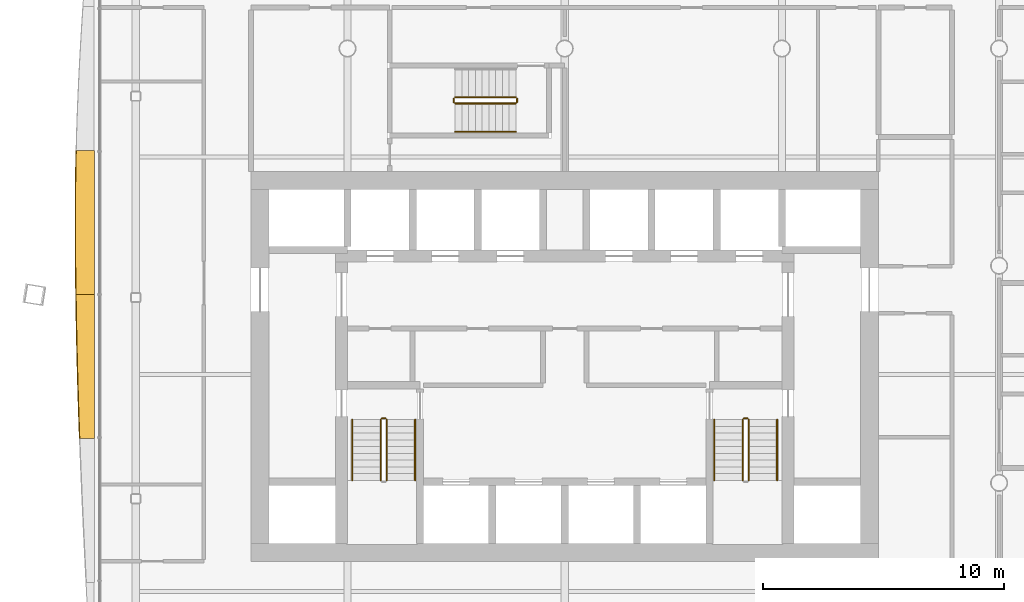
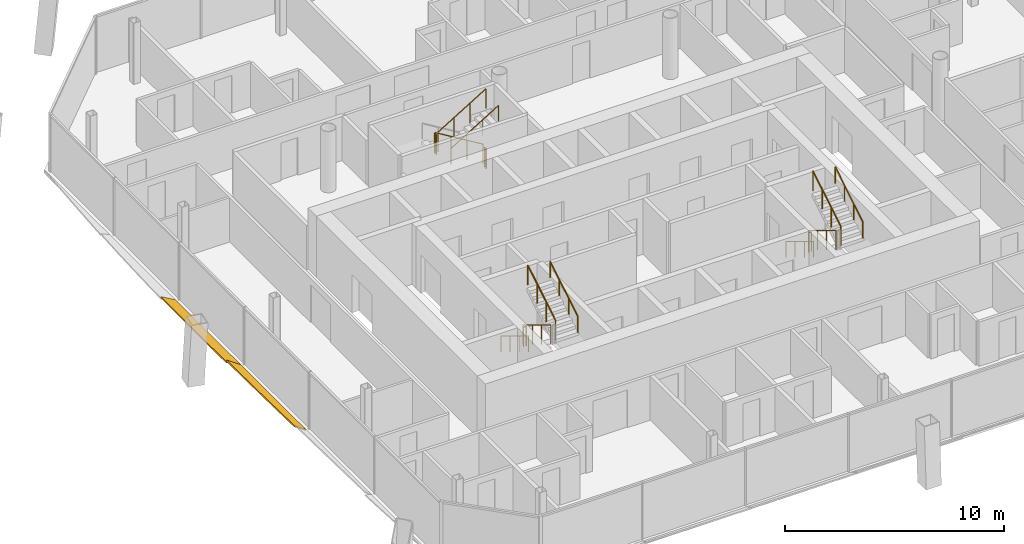
# One storey, part 20 of 21: 15 railings, 2 shading devices.
"""IFC4 building model written with IfcOpenShell, lengths in metres."""

import ifcopenshell
import ifcopenshell.guid

model = None  # the IFC model being written
_history = None  # IfcOwnerHistory: only IFC2X3 demands one
_inside = {}  # id of a spatial element -> (the spatial element, [elements in it])
_under = {}  # id of a project, library or spatial element -> (it, [spatial elements below it])
_declared = {}  # id of a project -> (the project, [libraries it declares])
_typed = {}  # id of a type object -> (the type object, [elements of that type])
_made_of = {}  # id of a material, layer set ... -> (it, [elements and type objects made of it])


def new_model(schema):
    """Start an empty IFC model of exactly this schema.

    Asked for "IFC4X3", IfcOpenShell would pick the latest addendum, in which some entities
    have other attributes; the version numbers below select the first issue.
    IFC2X3 requires an IfcOwnerHistory on every rooted entity: one is made here for all.
    """
    global model, _history
    if schema == "IFC4X3":
        model = ifcopenshell.file(schema_version=(4, 3, 0, 0))
    else:
        model = ifcopenshell.file(schema=schema)
    _inside.clear()
    _under.clear()
    _declared.clear()
    _typed.clear()
    _made_of.clear()
    _history = None
    if model.schema == "IFC2X3":
        org = make("IfcOrganization", Name="unknown")
        user = make(
            "IfcPersonAndOrganization",
            ThePerson=make("IfcPerson", FamilyName="unknown"),
            TheOrganization=org,
        )
        app = make(
            "IfcApplication",
            ApplicationDeveloper=org,
            Version="unknown",
            ApplicationFullName="unknown",
            ApplicationIdentifier="unknown",
        )
        _history = make(
            "IfcOwnerHistory",
            OwningUser=user,
            OwningApplication=app,
            ChangeAction="ADDED",
            CreationDate=0,
        )
    return model


def make(cls, **values):
    """One entity of the class cls with the attributes given. An attribute that is None is left unset."""
    return model.create_entity(
        cls, **{name: value for name, value in values.items() if value is not None}
    )


def rooted(cls, **values):
    """An entity with a GlobalId (a new one), such as an element, a storey or a relation."""
    return make(cls, GlobalId=ifcopenshell.guid.new(), OwnerHistory=_history, **values)


def si_unit(unit_type, name, prefix=None):
    """IfcSIUnit, for example si_unit("LENGTHUNIT", "METRE", prefix="MILLI")."""
    return make("IfcSIUnit", UnitType=unit_type, Prefix=prefix, Name=name)


def assignment(units):
    """IfcUnitAssignment: the units of a project."""
    return None if units is None else make("IfcUnitAssignment", Units=units)


def point(xyz):
    """IfcCartesianPoint."""
    return None if xyz is None else make("IfcCartesianPoint", Coordinates=xyz)


def direction(xyz):
    """IfcDirection."""
    return None if xyz is None else make("IfcDirection", DirectionRatios=xyz)


def frame(location, z_axis=None, x_axis=None):
    """IfcAxis2Placement3D, a coordinate frame: its origin and axes. An axis left out is left unset."""
    return make(
        "IfcAxis2Placement3D",
        Location=point(location),
        Axis=direction(z_axis),
        RefDirection=direction(x_axis),
    )


def frame_2d(location, x_axis=None):
    """IfcAxis2Placement2D, a coordinate frame in the plane: its origin and x axis."""
    return make(
        "IfcAxis2Placement2D", Location=point(location), RefDirection=direction(x_axis)
    )


def origin():
    """The frame at (0, 0, 0) with its axes left unset."""
    return frame((0.0, 0.0, 0.0))


def origin_2d():
    """The frame at (0, 0) in the plane with its x axis left unset."""
    return frame_2d((0.0, 0.0))


def place(relative_to, where):
    """IfcLocalPlacement: puts the frame where relative to a parent placement (None: the world)."""
    return make(
        "IfcLocalPlacement", PlacementRelTo=relative_to, RelativePlacement=where
    )


def context(
    kind, dimensions, precision=None, world=None, true_north=None, identifier=None
):
    """IfcGeometricRepresentationContext, for example the 3D "Model" context."""
    return make(
        "IfcGeometricRepresentationContext",
        ContextIdentifier=identifier,
        ContextType=kind,
        CoordinateSpaceDimension=dimensions,
        Precision=precision,
        WorldCoordinateSystem=world,
        TrueNorth=true_north,
    )


def subcontext(parent, identifier, kind, view, scale=None):
    """IfcGeometricRepresentationSubContext, for example "Body" below "Model"."""
    return make(
        "IfcGeometricRepresentationSubContext",
        ContextIdentifier=identifier,
        ContextType=kind,
        ParentContext=parent,
        TargetScale=scale,
        TargetView=view,
    )


def project(units=None, contexts=None):
    """IfcProject with its units and contexts."""
    return rooted(
        "IfcProject",
        Name="project",
        RepresentationContexts=contexts,
        UnitsInContext=assignment(units),
    )


def spatial(cls, under=None, at=None, **own):
    """A site, building, storey or space (cls), placed at a placement, below another one or the project."""
    s = rooted(cls, ObjectPlacement=at, **own)
    if under is not None:
        _under.setdefault(under.id(), (under, []))[1].append(s)
    return s


def polyline(points):
    """IfcPolyline through the points."""
    return make("IfcPolyline", Points=[point(p) for p in points])


def profile(cls, at=None, kind="AREA", **sizes):
    """A parametric profile (cls). Its sizes go by their IFC names, for example OverallWidth=200.0."""
    return make(cls, ProfileType=kind, Position=at, **sizes)


def circle(**sizes):
    """IfcCircleProfileDef."""
    return profile("IfcCircleProfileDef", **sizes)


def outline(outer, holes=None, kind="AREA"):
    """IfcArbitraryClosedProfileDef: a profile drawn as a closed curve; with holes, ...WithVoids."""
    if holes is None:
        return make("IfcArbitraryClosedProfileDef", ProfileType=kind, OuterCurve=outer)
    return make(
        "IfcArbitraryProfileDefWithVoids",
        ProfileType=kind,
        OuterCurve=outer,
        InnerCurves=holes,
    )


def extrude(swept, where, along, depth):
    """IfcExtrudedAreaSolid: the profile swept, set in the frame where, extruded along a direction by depth."""
    return make(
        "IfcExtrudedAreaSolid",
        SweptArea=swept,
        Position=where,
        ExtrudedDirection=direction(along),
        Depth=depth,
    )


def shape(context_of_items, identifier, shape_type, items):
    """IfcShapeRepresentation: the items that make up one representation, for example the "Body"."""
    return make(
        "IfcShapeRepresentation",
        ContextOfItems=context_of_items,
        RepresentationIdentifier=identifier,
        RepresentationType=shape_type,
        Items=items,
    )


def material(Name=None, Category=None):
    """IfcMaterial."""
    return make("IfcMaterial", Name=Name, Category=Category)


def layer(
    of_material, thickness, ventilated=None, Name=None, Category=None, Priority=None
):
    """IfcMaterialLayer: one layer of a wall or slab, of a material (None: an air gap)."""
    return make(
        "IfcMaterialLayer",
        Material=of_material,
        LayerThickness=thickness,
        IsVentilated=ventilated,
        Name=Name,
        Category=Category,
        Priority=Priority,
    )


def layer_set(layers, Name=None):
    """IfcMaterialLayerSet."""
    return make("IfcMaterialLayerSet", MaterialLayers=layers, LayerSetName=Name)


def made_of(thing, what):
    """Note that an element or type object is made of a material, layer set ...; save() writes the relation."""
    if what is not None:
        _made_of.setdefault(what.id(), (what, []))[1].append(thing)
    return thing


def type_object(cls, material=None, **own):
    """A type object (cls), such as IfcWallType, which elements share."""
    return made_of(rooted(cls, **own), material)


def element(
    cls,
    number,
    at=None,
    inside=None,
    cuts=None,
    type_object=None,
    material=None,
    context=None,
    identifier="Body",
    shape_type=None,
    held_by="IfcProductDefinitionShape",
    body=None,
    shapes=None,
    **own,
):
    """One element of the class cls, such as IfcWall. Its Tag is "e" and its number.

    at: its placement. inside: the storey or other place that contains it. cuts: it is an
    opening in that element (IfcRelVoidsElement). A single representation is given by context,
    identifier, shape_type and body (its items); several are given by shapes. held_by: the class
    of the entity that holds the representations. save() writes the other relations.
    """
    e = rooted(cls, Tag="e%d" % number, ObjectPlacement=at, **own)
    if body is not None:
        shapes = [shape(context, identifier, shape_type, body)]
    if shapes is not None:
        e.Representation = make(held_by, Representations=shapes)
    if inside is not None:
        _inside.setdefault(inside.id(), (inside, []))[1].append(e)
    if cuts is not None:
        rooted(
            "IfcRelVoidsElement", RelatingBuildingElement=cuts, RelatedOpeningElement=e
        )
    if type_object is not None:
        _typed.setdefault(type_object.id(), (type_object, []))[1].append(e)
    return made_of(e, material)


def aggregate(whole, parts):
    """IfcRelAggregates: a whole, such as a stair, and the parts it consists of."""
    return rooted("IfcRelAggregates", RelatingObject=whole, RelatedObjects=parts)


def save(model, path):
    """Write the relations noted so far, then the file.

    IfcRelAggregates (storeys below a building ...), IfcRelContainedInSpatialStructure (elements
    in a storey), IfcRelDefinesByType, IfcRelAssociatesMaterial and IfcRelDeclares: one each for
    every whole, place, type object, material and project.
    """
    for whole, parts in _under.values():
        aggregate(whole, parts)
    for where, things in _inside.values():
        rooted(
            "IfcRelContainedInSpatialStructure",
            RelatedElements=things,
            RelatingStructure=where,
        )
    for kind, things in _typed.values():
        rooted("IfcRelDefinesByType", RelatedObjects=things, RelatingType=kind)
    for what, things in _made_of.values():
        rooted("IfcRelAssociatesMaterial", RelatedObjects=things, RelatingMaterial=what)
    for by, libraries in _declared.values():
        rooted("IfcRelDeclares", RelatingContext=by, RelatedDefinitions=libraries)
    model.write(path)


model = new_model("IFC4")

# Units and contexts
model_context = context("Model", 3, precision=1e-05, world=origin(), true_north=direction((0.0, 1.0)))
body_context = subcontext(model_context, "Body", "Model", "MODEL_VIEW")
ifc_project = project(units=[si_unit("LENGTHUNIT", "METRE"), si_unit("AREAUNIT", "SQUARE_METRE"), si_unit("VOLUMEUNIT", "CUBIC_METRE"), si_unit("PLANEANGLEUNIT", "RADIAN"), si_unit("MASSUNIT", "GRAM", prefix="KILO")], contexts=[model_context])

# Site, building, storey
site_placement = place(None, origin())
site = spatial("IfcSite", under=ifc_project, at=site_placement, CompositionType="ELEMENT")
building_placement = place(site_placement, origin())
building = spatial("IfcBuilding", under=site, at=building_placement, Name="Tskaro Facet Tower", CompositionType="ELEMENT")
storey_placement = place(building_placement, frame((0.0, 0.0, 148.699951171875)))
storey = spatial("IfcBuildingStorey", under=building, at=storey_placement, Name="L36", CompositionType="ELEMENT", Elevation=148.699951171875)

# Shading devices
ifc_material_1 = material(Name="Bronze anodised aluminium 6063-T6", Category="aluminium")
ifc_layer = layer(ifc_material_1, 0.06005859375, Name="Bronze anodised aluminium 6063-T6")
ifc_layer_set = layer_set([ifc_layer], Name="Bronze anodised aluminium 6063-T6")
shading_device_type = type_object("IfcShadingDeviceType", Name="Bronze sun blade (FN1)", PredefinedType="USERDEFINED", material=ifc_layer_set)
shading_device_1_placement = place(storey_placement, frame((-19.491943359375, 4.768310546875, 0.052001953125), z_axis=(0.500012281734, -1.0435404e-05, 0.866018312743), x_axis=(-5.21783e-06, -0.999999999946, -9.037251e-06)))
element("IfcShadingDevice", 1, at=shading_device_1_placement, inside=storey, type_object=shading_device_type, Name="Fin blade west 3", ObjectType="FIN", PredefinedType="USERDEFINED", context=body_context, shape_type="SweptSolid", body=[
    extrude(outline(polyline([(0.0, 0.0), (5.963867187175275, 0.0), (5.9638671874231495, -0.8730665709229073), (5.218261719513904, -0.8834530297828249), (4.472900391796488, -0.8913262498185438), (3.727294920473158, -0.8962633705257718), (2.9819335937543756, -0.8984431057868475), (2.7434082044162476, -0.8986545360389936), (2.236328124362156, -0.8973532381563096), (1.4909667965935576, -0.8905698857511287), (0.7453613269922476, -0.8782151218822815), (-9.85441230872055e-10, -0.8601668732387913), (0.0, 0.0)])), origin(), (0.0, 0.0, -1.0), 0.06005859375),
])
shading_device_2_placement = place(storey_placement, frame((-19.487548828125, -1.195556640625, 0.04931640625), z_axis=(0.573468413984, -7.530067e-06, 0.819227671716), x_axis=(-4.318256e-06, -0.999999999972, -6.168839e-06)))
element("IfcShadingDevice", 2, at=shading_device_2_placement, inside=storey, type_object=shading_device_type, Name="Fin blade west 4", ObjectType="FIN", PredefinedType="USERDEFINED", context=body_context, shape_type="SweptSolid", body=[
    extrude(outline(polyline([(0.0, 0.0), (5.963867187330919, 0.0), (5.9638671879744445, -0.7366287013576546), (5.218261718644953, -0.7688699581964988), (4.472900390542748, -0.7986711193669057), (3.7272949213635793, -0.8258321781130795), (2.9819335934116977, -0.850553141190816), (2.2363281254371152, -0.8728340086001154), (1.4909667965812954, -0.8922747668293858), (0.7453613281545778, -0.9089354156974113), (-9.911556207250851e-11, -0.9229559621412038), (0.0, 0.0)])), origin(), (0.0, 0.0, -1.0), 0.06005859375),
])

# Railings
ifc_material_2 = material(Name="Stainless steel", Category="steel")
railing_type_1 = type_object("IfcRailingType", Name="RL-GUARD-1100", PredefinedType="GUARDRAIL", material=ifc_material_2)
railing_1_placement = place(storey_placement, frame((-7.625, -6.375, 0.170166015625)))
element("IfcRailing", 3, at=railing_1_placement, inside=storey, type_object=railing_type_1, Name="L36 ST-1 stair guard 1", PredefinedType="GUARDRAIL", context=body_context, shape_type="SweptSolid", body=[
    extrude(circle(Radius=0.02392578125, at=origin_2d()), frame((0.0, 0.0, 1.076171875), z_axis=(0.0, -0.854821627497, 0.518921945155), x_axis=(1.0, 0.0, 0.0)), (0.0, 0.0, 1.0), 2.947998046875),
    extrude(circle(Radius=0.02099609375, at=origin_2d()), origin(), (0.0, 0.0, 1.0), 1.052001953125),
    extrude(circle(Radius=0.02099609375, at=origin_2d()), frame((0.0, -0.840087890625, 0.510009765625)), (0.0, 0.0, 1.0), 1.052001953125),
    extrude(circle(Radius=0.02099609375, at=origin_2d()), frame((0.0, -1.679931640625, 1.019775390625)), (0.0, 0.0, 1.0), 1.052001953125),
    extrude(circle(Radius=0.02099609375, at=origin_2d()), frame((0.0, -2.52001953125, 1.52978515625)), (0.0, 0.0, 1.0), 1.052001953125),
])
railing_2_placement = place(storey_placement, frame((-7.375, -8.89501953125, 1.8701171875)))
element("IfcRailing", 4, at=railing_2_placement, inside=storey, type_object=railing_type_1, Name="L36 ST-1 stair guard 3", PredefinedType="GUARDRAIL", context=body_context, shape_type="SweptSolid", body=[
    extrude(circle(Radius=0.02392578125, at=origin_2d()), frame((0.0, 0.0, 1.076171875), z_axis=(0.0, 0.85478489116, 0.518982456201), x_axis=(-1.0, 0.0, 0.0)), (0.0, 0.0, 1.0), 2.9482421875),
    extrude(circle(Radius=0.02099609375, at=origin_2d()), origin(), (0.0, 0.0, 1.0), 1.052001953125),
    extrude(circle(Radius=0.02099609375, at=origin_2d()), frame((0.0, 0.840087890625, 0.510009765625)), (0.0, 0.0, 1.0), 1.052001953125),
    extrude(circle(Radius=0.02099609375, at=origin_2d()), frame((0.0, 1.679931640625, 1.02001953125)), (0.0, 0.0, 1.0), 1.052001953125),
    extrude(circle(Radius=0.02099609375, at=origin_2d()), frame((0.0, 2.52001953125, 1.530029296875)), (0.0, 0.0, 1.0), 1.052001953125),
])
railing_3_placement = place(storey_placement, frame((-7.574951171875, -6.324951171875, 0.0)))
element("IfcRailing", 5, at=railing_3_placement, inside=storey, type_object=railing_type_1, Name="L36 ST-1 stair guard 4", PredefinedType="GUARDRAIL", context=body_context, shape_type="SweptSolid", body=[
    extrude(circle(Radius=0.02392578125, at=origin_2d()), frame((0.0, 0.0, 1.076171875), z_axis=(1.0, 0.0, 0.0), x_axis=(0.0, 1.0, 0.0)), (0.0, 0.0, 1.0), 0.14990234375),
    extrude(circle(Radius=0.02099609375, at=origin_2d()), origin(), (0.0, 0.0, 1.0), 1.052001953125),
    extrude(circle(Radius=0.02099609375, at=origin_2d()), frame((0.14990234375, 0.0, 0.0)), (0.0, 0.0, 1.0), 1.052001953125),
])
railing_4_placement = place(storey_placement, frame((7.375, -6.375, 0.170166015625)))
element("IfcRailing", 6, at=railing_4_placement, inside=storey, type_object=railing_type_1, Name="L36 ST-2 stair guard 1", PredefinedType="GUARDRAIL", context=body_context, shape_type="SweptSolid", body=[
    extrude(circle(Radius=0.02392578125, at=origin_2d()), frame((0.0, 0.0, 1.076171875), z_axis=(0.0, -0.854821627497, 0.518921945155), x_axis=(1.0, 0.0, 0.0)), (0.0, 0.0, 1.0), 2.947998046875),
    extrude(circle(Radius=0.02099609375, at=origin_2d()), origin(), (0.0, 0.0, 1.0), 1.052001953125),
    extrude(circle(Radius=0.02099609375, at=origin_2d()), frame((0.0, -0.840087890625, 0.510009765625)), (0.0, 0.0, 1.0), 1.052001953125),
    extrude(circle(Radius=0.02099609375, at=origin_2d()), frame((0.0, -1.679931640625, 1.019775390625)), (0.0, 0.0, 1.0), 1.052001953125),
    extrude(circle(Radius=0.02099609375, at=origin_2d()), frame((0.0, -2.52001953125, 1.52978515625)), (0.0, 0.0, 1.0), 1.052001953125),
])
railing_5_placement = place(storey_placement, frame((7.625, -8.89501953125, 1.8701171875)))
element("IfcRailing", 7, at=railing_5_placement, inside=storey, type_object=railing_type_1, Name="L36 ST-2 stair guard 3", PredefinedType="GUARDRAIL", context=body_context, shape_type="SweptSolid", body=[
    extrude(circle(Radius=0.02392578125, at=origin_2d()), frame((0.0, 0.0, 1.076171875), z_axis=(0.0, 0.85478489116, 0.518982456201), x_axis=(-1.0, 0.0, 0.0)), (0.0, 0.0, 1.0), 2.9482421875),
    extrude(circle(Radius=0.02099609375, at=origin_2d()), origin(), (0.0, 0.0, 1.0), 1.052001953125),
    extrude(circle(Radius=0.02099609375, at=origin_2d()), frame((0.0, 0.840087890625, 0.510009765625)), (0.0, 0.0, 1.0), 1.052001953125),
    extrude(circle(Radius=0.02099609375, at=origin_2d()), frame((0.0, 1.679931640625, 1.02001953125)), (0.0, 0.0, 1.0), 1.052001953125),
    extrude(circle(Radius=0.02099609375, at=origin_2d()), frame((0.0, 2.52001953125, 1.530029296875)), (0.0, 0.0, 1.0), 1.052001953125),
])
railing_6_placement = place(storey_placement, frame((7.425048828125, -6.324951171875, 0.0)))
element("IfcRailing", 8, at=railing_6_placement, inside=storey, type_object=railing_type_1, Name="L36 ST-2 stair guard 4", PredefinedType="GUARDRAIL", context=body_context, shape_type="SweptSolid", body=[
    extrude(circle(Radius=0.02392578125, at=origin_2d()), frame((0.0, 0.0, 1.076171875), z_axis=(1.0, 0.0, 0.0), x_axis=(0.0, 1.0, 0.0)), (0.0, 0.0, 1.0), 0.14990234375),
    extrude(circle(Radius=0.02099609375, at=origin_2d()), origin(), (0.0, 0.0, 1.0), 1.052001953125),
    extrude(circle(Radius=0.02099609375, at=origin_2d()), frame((0.14990234375, 0.0, 0.0)), (0.0, 0.0, 1.0), 1.052001953125),
])
railing_7_placement = place(storey_placement, frame((-2.02490234375, 6.97509765625, 0.170166015625)))
element("IfcRailing", 9, at=railing_7_placement, inside=storey, type_object=railing_type_1, Name="L36 ST-3 stair guard 1", PredefinedType="GUARDRAIL", context=body_context, shape_type="SweptSolid", body=[
    extrude(circle(Radius=0.02392578125, at=origin_2d()), frame((0.0, 0.0, 1.076171875), z_axis=(-0.854821627497, 0.0, 0.518921945155), x_axis=(0.0, -1.0, 0.0)), (0.0, 0.0, 1.0), 2.947998046875),
    extrude(circle(Radius=0.02099609375, at=origin_2d()), origin(), (0.0, 0.0, 1.0), 1.052001953125),
    extrude(circle(Radius=0.02099609375, at=origin_2d()), frame((-0.840087890625, 0.0, 0.510009765625)), (0.0, 0.0, 1.0), 1.052001953125),
    extrude(circle(Radius=0.02099609375, at=origin_2d()), frame((-1.679931640625, 0.0, 1.019775390625)), (0.0, 0.0, 1.0), 1.052001953125),
    extrude(circle(Radius=0.02099609375, at=origin_2d()), frame((-2.52001953125, 0.0, 1.52978515625)), (0.0, 0.0, 1.0), 1.052001953125),
])
railing_8_placement = place(storey_placement, frame((-4.594970703125, 6.925048828125, 1.699951171875)))
element("IfcRailing", 10, at=railing_8_placement, inside=storey, type_object=railing_type_1, Name="L36 ST-3 stair guard 2", PredefinedType="GUARDRAIL", context=body_context, shape_type="SweptSolid", body=[
    extrude(circle(Radius=0.02392578125, at=origin_2d()), frame((0.0, 0.0, 1.076171875), z_axis=(0.0, -1.0, 0.0), x_axis=(1.0, 0.0, 0.0)), (0.0, 0.0, 1.0), 0.150146484375),
    extrude(circle(Radius=0.02099609375, at=origin_2d()), origin(), (0.0, 0.0, 1.0), 1.052001953125),
    extrude(circle(Radius=0.02099609375, at=origin_2d()), frame((0.0, -0.150146484375, 0.0)), (0.0, 0.0, 1.0), 1.052001953125),
])
railing_9_placement = place(storey_placement, frame((-4.544921875, 6.72509765625, 1.8701171875)))
element("IfcRailing", 11, at=railing_9_placement, inside=storey, type_object=railing_type_1, Name="L36 ST-3 stair guard 3", PredefinedType="GUARDRAIL", context=body_context, shape_type="SweptSolid", body=[
    extrude(circle(Radius=0.02392578125, at=origin_2d()), frame((0.0, 0.0, 1.076171875), z_axis=(0.85478489116, 0.0, 0.518982456201), x_axis=(0.0, 1.0, 0.0)), (0.0, 0.0, 1.0), 2.9482421875),
    extrude(circle(Radius=0.02099609375, at=origin_2d()), origin(), (0.0, 0.0, 1.0), 1.052001953125),
    extrude(circle(Radius=0.02099609375, at=origin_2d()), frame((0.840087890625, 0.0, 0.510009765625)), (0.0, 0.0, 1.0), 1.052001953125),
    extrude(circle(Radius=0.02099609375, at=origin_2d()), frame((1.679931640625, 0.0, 1.02001953125)), (0.0, 0.0, 1.0), 1.052001953125),
    extrude(circle(Radius=0.02099609375, at=origin_2d()), frame((2.52001953125, 0.0, 1.530029296875)), (0.0, 0.0, 1.0), 1.052001953125),
])
railing_10_placement = place(storey_placement, frame((-1.97509765625, 6.925048828125, 0.0)))
element("IfcRailing", 12, at=railing_10_placement, inside=storey, type_object=railing_type_1, Name="L36 ST-3 stair guard 4", PredefinedType="GUARDRAIL", context=body_context, shape_type="SweptSolid", body=[
    extrude(circle(Radius=0.02392578125, at=origin_2d()), frame((0.0, 0.0, 1.076171875), z_axis=(0.0, -1.0, 0.0), x_axis=(1.0, 0.0, 0.0)), (0.0, 0.0, 1.0), 0.150146484375),
    extrude(circle(Radius=0.02099609375, at=origin_2d()), origin(), (0.0, 0.0, 1.0), 1.052001953125),
    extrude(circle(Radius=0.02099609375, at=origin_2d()), frame((0.0, -0.150146484375, 0.0)), (0.0, 0.0, 1.0), 1.052001953125),
])
railing_type_2 = type_object("IfcRailingType", Name="RL-HANDRAIL-900", PredefinedType="HANDRAIL", material=ifc_material_2)
railing_11_placement = place(storey_placement, frame((-8.800048828125, -6.375, 0.170166015625)))
element("IfcRailing", 13, at=railing_11_placement, inside=storey, type_object=railing_type_2, Name="L36 ST-1 stair handrail 1", PredefinedType="HANDRAIL", context=body_context, shape_type="SweptSolid", body=[
    extrude(circle(Radius=0.02392578125, at=origin_2d()), frame((0.0, 0.0, 0.8759765625), z_axis=(0.0, -0.854821627497, 0.518921945155), x_axis=(1.0, 0.0, 0.0)), (0.0, 0.0, 1.0), 2.947998046875),
    extrude(circle(Radius=0.02099609375, at=origin_2d()), origin(), (0.0, 0.0, 1.0), 0.851806640625),
    extrude(circle(Radius=0.02099609375, at=origin_2d()), frame((0.0, -0.840087890625, 0.510009765625)), (0.0, 0.0, 1.0), 0.851806640625),
    extrude(circle(Radius=0.02099609375, at=origin_2d()), frame((0.0, -1.679931640625, 1.019775390625)), (0.0, 0.0, 1.0), 0.851806640625),
    extrude(circle(Radius=0.02099609375, at=origin_2d()), frame((0.0, -2.52001953125, 1.52978515625)), (0.0, 0.0, 1.0), 0.851806640625),
])
railing_12_placement = place(storey_placement, frame((-6.199951171875, -8.89501953125, 1.8701171875)))
element("IfcRailing", 14, at=railing_12_placement, inside=storey, type_object=railing_type_2, Name="L36 ST-1 stair handrail 2", PredefinedType="HANDRAIL", context=body_context, shape_type="SweptSolid", body=[
    extrude(circle(Radius=0.02392578125, at=origin_2d()), frame((0.0, 0.0, 0.8759765625), z_axis=(0.0, 0.85478489116, 0.518982456201), x_axis=(-1.0, 0.0, 0.0)), (0.0, 0.0, 1.0), 2.9482421875),
    extrude(circle(Radius=0.02099609375, at=origin_2d()), origin(), (0.0, 0.0, 1.0), 0.851806640625),
    extrude(circle(Radius=0.02099609375, at=origin_2d()), frame((0.0, 0.840087890625, 0.510009765625)), (0.0, 0.0, 1.0), 0.851806640625),
    extrude(circle(Radius=0.02099609375, at=origin_2d()), frame((0.0, 1.679931640625, 1.02001953125)), (0.0, 0.0, 1.0), 0.851806640625),
    extrude(circle(Radius=0.02099609375, at=origin_2d()), frame((0.0, 2.52001953125, 1.530029296875)), (0.0, 0.0, 1.0), 0.851806640625),
])
railing_13_placement = place(storey_placement, frame((6.199951171875, -6.375, 0.170166015625)))
element("IfcRailing", 15, at=railing_13_placement, inside=storey, type_object=railing_type_2, Name="L36 ST-2 stair handrail 1", PredefinedType="HANDRAIL", context=body_context, shape_type="SweptSolid", body=[
    extrude(circle(Radius=0.02392578125, at=origin_2d()), frame((0.0, 0.0, 0.8759765625), z_axis=(0.0, -0.854821627497, 0.518921945155), x_axis=(1.0, 0.0, 0.0)), (0.0, 0.0, 1.0), 2.947998046875),
    extrude(circle(Radius=0.02099609375, at=origin_2d()), origin(), (0.0, 0.0, 1.0), 0.851806640625),
    extrude(circle(Radius=0.02099609375, at=origin_2d()), frame((0.0, -0.840087890625, 0.510009765625)), (0.0, 0.0, 1.0), 0.851806640625),
    extrude(circle(Radius=0.02099609375, at=origin_2d()), frame((0.0, -1.679931640625, 1.019775390625)), (0.0, 0.0, 1.0), 0.851806640625),
    extrude(circle(Radius=0.02099609375, at=origin_2d()), frame((0.0, -2.52001953125, 1.52978515625)), (0.0, 0.0, 1.0), 0.851806640625),
])
railing_14_placement = place(storey_placement, frame((8.800048828125, -8.89501953125, 1.8701171875)))
element("IfcRailing", 16, at=railing_14_placement, inside=storey, type_object=railing_type_2, Name="L36 ST-2 stair handrail 2", PredefinedType="HANDRAIL", context=body_context, shape_type="SweptSolid", body=[
    extrude(circle(Radius=0.02392578125, at=origin_2d()), frame((0.0, 0.0, 0.8759765625), z_axis=(0.0, 0.85478489116, 0.518982456201), x_axis=(-1.0, 0.0, 0.0)), (0.0, 0.0, 1.0), 2.9482421875),
    extrude(circle(Radius=0.02099609375, at=origin_2d()), origin(), (0.0, 0.0, 1.0), 0.851806640625),
    extrude(circle(Radius=0.02099609375, at=origin_2d()), frame((0.0, 0.840087890625, 0.510009765625)), (0.0, 0.0, 1.0), 0.851806640625),
    extrude(circle(Radius=0.02099609375, at=origin_2d()), frame((0.0, 1.679931640625, 1.02001953125)), (0.0, 0.0, 1.0), 0.851806640625),
    extrude(circle(Radius=0.02099609375, at=origin_2d()), frame((0.0, 2.52001953125, 1.530029296875)), (0.0, 0.0, 1.0), 0.851806640625),
])
railing_15_placement = place(storey_placement, frame((-4.544921875, 5.550048828125, 1.8701171875)))
element("IfcRailing", 17, at=railing_15_placement, inside=storey, type_object=railing_type_2, Name="L36 ST-3 stair handrail 2", PredefinedType="HANDRAIL", context=body_context, shape_type="SweptSolid", body=[
    extrude(circle(Radius=0.02392578125, at=origin_2d()), frame((0.0, 0.0, 0.8759765625), z_axis=(0.85478489116, 0.0, 0.518982456201), x_axis=(0.0, 1.0, 0.0)), (0.0, 0.0, 1.0), 2.9482421875),
    extrude(circle(Radius=0.02099609375, at=origin_2d()), origin(), (0.0, 0.0, 1.0), 0.851806640625),
    extrude(circle(Radius=0.02099609375, at=origin_2d()), frame((0.840087890625, 0.0, 0.510009765625)), (0.0, 0.0, 1.0), 0.851806640625),
    extrude(circle(Radius=0.02099609375, at=origin_2d()), frame((1.679931640625, 0.0, 1.02001953125)), (0.0, 0.0, 1.0), 0.851806640625),
    extrude(circle(Radius=0.02099609375, at=origin_2d()), frame((2.52001953125, 0.0, 1.530029296875)), (0.0, 0.0, 1.0), 0.851806640625),
])

save(model, "model.ifc")
